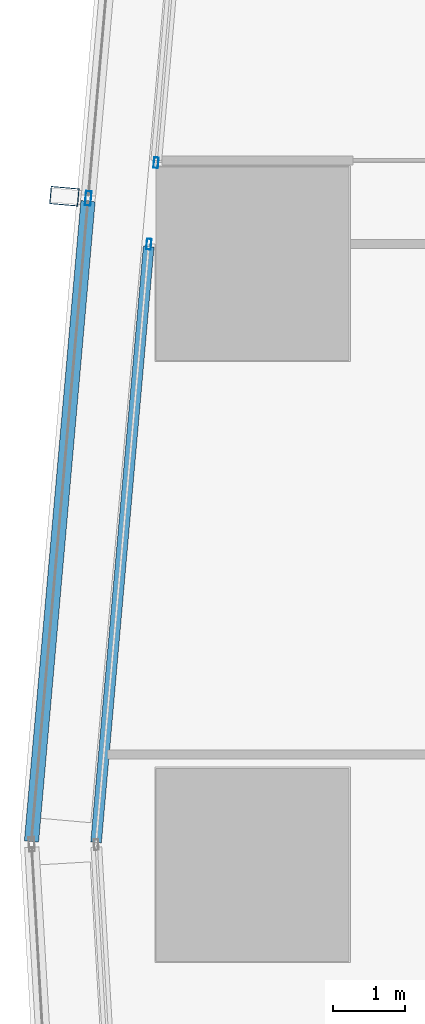
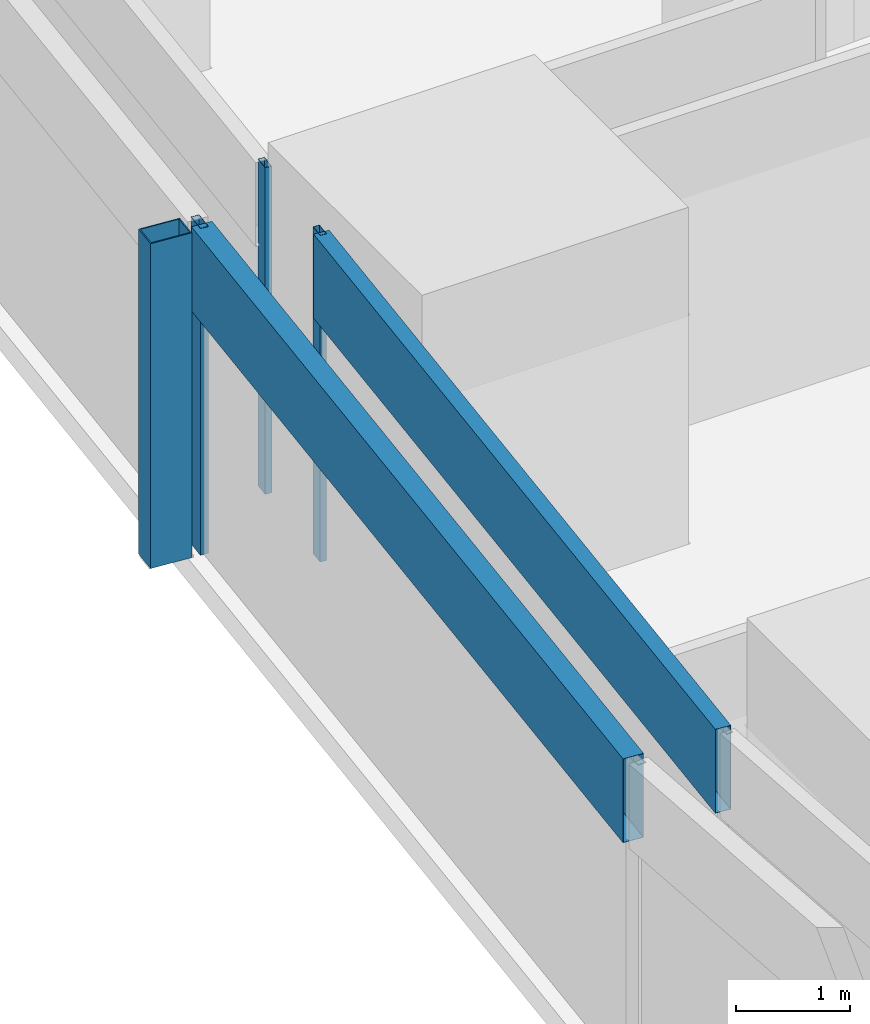
# One storey, part 14 of 36: 6 members, 3 elements without a shape of their own.
"""IFC4 building model written with IfcOpenShell, lengths in metres."""

from ifc_helpers import new_model, si_unit, direction, frame, origin, origin_2d, place, context, subcontext, project, spatial, hollow_rectangle, extrude, material, material_profile, profile_set, type_object, element, aggregate, save


model = new_model("IFC4")

# Units and contexts
model_context = context("Model", 3, precision=1e-05, world=origin(), true_north=direction((0.0, 1.0)))
body_context = subcontext(model_context, "Body", "Model", "MODEL_VIEW")
ifc_project = project(units=[si_unit("LENGTHUNIT", "METRE"), si_unit("AREAUNIT", "SQUARE_METRE"), si_unit("VOLUMEUNIT", "CUBIC_METRE"), si_unit("PLANEANGLEUNIT", "RADIAN"), si_unit("MASSUNIT", "GRAM", prefix="KILO")], contexts=[model_context])

# Site, building, storey
site_placement = place(None, origin())
site = spatial("IfcSite", under=ifc_project, at=site_placement, CompositionType="ELEMENT")
building_placement = place(site_placement, origin())
building = spatial("IfcBuilding", under=site, at=building_placement, Name="Rekha Terrace Tower", CompositionType="ELEMENT")
storey_placement = place(building_placement, frame((0.0, 0.0, 172.699951171875)))
storey = spatial("IfcBuildingStorey", under=building, at=storey_placement, Name="L43", CompositionType="ELEMENT", Elevation=172.699951171875)

# Curtain wall, member
ifc_material_1 = material(Name="Aluminium framing", Category="aluminium")
curtain_wall_type_1 = type_object("IfcCurtainWallType", Name="CW2 double skin outer glazing", PredefinedType="USERDEFINED", material=ifc_material_1)
curtain_wall_1_placement = place(storey_placement, origin())
curtain_wall_1 = element("IfcCurtainWall", 1, at=curtain_wall_1_placement, inside=storey, type_object=curtain_wall_type_1, Name="CW2 double skin outer glazing", ObjectType="DOUBLE SKIN OUTER GLAZING", PredefinedType="USERDEFINED")
ifc_material_2 = material(Name="Steel S355 with fluorocarbon finish", Category="steel")
ifc_material_profile_1 = material_profile(ifc_material_2, hollow_rectangle(XDim=0.25, YDim=0.39990234375, WallThickness=0.012451171875, at=origin_2d()), Name="RHS400x250x12.5")
ifc_profile_set_1 = profile_set([ifc_material_profile_1], Name="Steel S355 with fluorocarbon finish")
member_type_1 = type_object("IfcMemberType", Name="BL1 facade blade RHS 400 x 250", PredefinedType="USERDEFINED", material=ifc_profile_set_1)
member_1_placement = place(storey_placement, frame((5.77001953125, 51.341796875, 0.02001953125), z_axis=(0.0, 0.0, 1.0), x_axis=(-0.087957249501, -0.996124250413, 0.0)))
member_1 = element("IfcMember", 2, at=member_1_placement, type_object=member_type_1, Name="Facade blade", ObjectType="FACADE BLADE", PredefinedType="USERDEFINED", context=body_context, shape_type="SweptSolid", body=[
    extrude(hollow_rectangle(XDim=0.25, YDim=0.39990234375, WallThickness=0.012451171875, at=origin_2d()), origin(), (0.0, 0.0, 1.0), 3.47998046875),
])

curtain_wall_type_2 = type_object("IfcCurtainWallType", Name="CW1 double skin inner glazing", PredefinedType="USERDEFINED", material=ifc_material_1)
curtain_wall_2_placement = place(storey_placement, origin())
curtain_wall_2 = element("IfcCurtainWall", 3, at=curtain_wall_2_placement, inside=storey, type_object=curtain_wall_type_2, Name="CW1 double skin inner glazing", ObjectType="DOUBLE SKIN INNER GLAZING", PredefinedType="USERDEFINED")
ifc_material_3 = material(Name="Aluminium mullion section", Category="aluminium")
ifc_material_profile_2 = material_profile(ifc_material_3, hollow_rectangle(XDim=0.06494140625, YDim=0.14990234375, WallThickness=0.00390625, at=origin_2d()), Name="AL RHS 65x150")
ifc_profile_set_2 = profile_set([ifc_material_profile_2], Name="Aluminium mullion section")
member_type_2 = type_object("IfcMemberType", Name="CW1 mullion RHS 65 x 150", PredefinedType="MULLION", material=ifc_profile_set_2)
member_2_placement = place(storey_placement, frame((7.05126953125, 51.810546875, 0.0), z_axis=(0.0, 0.0, 1.0), x_axis=(0.996124185428, -0.087957985453, 0.0)))
member_2 = element("IfcMember", 4, at=member_2_placement, type_object=member_type_2, Name="CW1 mullion 2", PredefinedType="MULLION", context=body_context, shape_type="SweptSolid", body=[
    extrude(hollow_rectangle(XDim=0.06494140625, YDim=0.14990234375, WallThickness=0.00390625, at=origin_2d()), origin(), (0.0, 0.0, 1.0), 3.5),
])
aggregate(curtain_wall_2, [member_2])

# Curtain wall, members
curtain_wall_3_placement = place(storey_placement, origin())
curtain_wall_3 = element("IfcCurtainWall", 5, at=curtain_wall_3_placement, inside=storey, type_object=curtain_wall_type_2, Name="CW1 double skin inner glazing", ObjectType="DOUBLE SKIN INNER GLAZING", PredefinedType="USERDEFINED")
member_3_placement = place(storey_placement, frame((6.95068359375, 50.67236328125, 0.0), z_axis=(0.0, 0.0, 1.0), x_axis=(0.996124185419, -0.087957985558, 0.0)))
member_3 = element("IfcMember", 6, at=member_3_placement, type_object=member_type_2, Name="CW1 mullion 1", PredefinedType="MULLION", context=body_context, shape_type="SweptSolid", body=[
    extrude(hollow_rectangle(XDim=0.06494140625, YDim=0.14990234375, WallThickness=0.00390625, at=origin_2d()), origin(), (0.0, 0.0, 1.0), 3.5),
])
ifc_material_4 = material(Name="Insulated aluminium spandrel box", Category="aluminium")
ifc_material_profile_3 = material_profile(ifc_material_4, hollow_rectangle(XDim=0.14990234375, YDim=0.89990234375, WallThickness=0.0029296875, at=origin_2d()), Name="AL SPANDREL BOX 150x900")
ifc_profile_set_3 = profile_set([ifc_material_profile_3], Name="Insulated aluminium spandrel box")
member_type_3 = type_object("IfcMemberType", Name="CW1 spandrel transom 150 x 900", PredefinedType="USERDEFINED", material=ifc_profile_set_3)
member_4_placement = place(storey_placement, frame((6.947998046875, 50.639892578125, 3.050048828125), z_axis=(-0.087983323266, -0.996121947769, 0.0), x_axis=(0.996121947769, -0.087983323266, 0.0)))
member_4 = element("IfcMember", 7, at=member_4_placement, type_object=member_type_3, Name="CW1 spandrel transom 1", ObjectType="TRANSOM", PredefinedType="USERDEFINED", context=body_context, shape_type="SweptSolid", body=[
    extrude(hollow_rectangle(XDim=0.14990234375, YDim=0.89990234375, WallThickness=0.0029296875, at=origin_2d()), origin(), (0.0, 0.0, 1.0), 8.35791015625),
])
aggregate(curtain_wall_3, [member_3, member_4])

# Member
ifc_material_profile_4 = material_profile(ifc_material_3, hollow_rectangle(XDim=0.080078125, YDim=0.199951171875, WallThickness=0.00390625, at=origin_2d()), Name="AL RHS 80x200")
ifc_profile_set_4 = profile_set([ifc_material_profile_4], Name="Aluminium mullion section")
member_type_4 = type_object("IfcMemberType", Name="CW2 mullion RHS 80 x 200", PredefinedType="MULLION", material=ifc_profile_set_4)
member_5_placement = place(storey_placement, frame((6.103759765625, 51.312255859375, 0.0), z_axis=(0.0, 0.0, 1.0), x_axis=(0.996124185428, -0.087957985453, 0.0)))
member_5 = element("IfcMember", 8, at=member_5_placement, type_object=member_type_4, Name="CW2 mullion 2", PredefinedType="MULLION", context=body_context, shape_type="SweptSolid", body=[
    extrude(hollow_rectangle(XDim=0.080078125, YDim=0.199951171875, WallThickness=0.00390625, at=origin_2d()), origin(), (0.0, 0.0, 1.0), 3.5),
])

ifc_material_profile_5 = material_profile(ifc_material_4, hollow_rectangle(XDim=0.199951171875, YDim=0.89990234375, WallThickness=0.0029296875, at=origin_2d()), Name="AL SPANDREL BOX 200x900")
ifc_profile_set_5 = profile_set([ifc_material_profile_5], Name="Insulated aluminium spandrel box")
member_type_5 = type_object("IfcMemberType", Name="CW2 spandrel transom 200 x 900", PredefinedType="USERDEFINED", material=ifc_profile_set_5)
member_6_placement = place(storey_placement, frame((6.100341796875, 51.2724609375, 3.050048828125), z_axis=(-0.087981092326, -0.996122144816, 0.0), x_axis=(0.996122144816, -0.087981092326, 0.0)))
member_6 = element("IfcMember", 9, at=member_6_placement, type_object=member_type_5, Name="CW2 spandrel transom 2", ObjectType="TRANSOM", PredefinedType="USERDEFINED", context=body_context, shape_type="SweptSolid", body=[
    extrude(hollow_rectangle(XDim=0.199951171875, YDim=0.89990234375, WallThickness=0.0029296875, at=origin_2d()), origin(), (0.0, 0.0, 1.0), 8.979736328125),
])

aggregate(curtain_wall_1, [member_5, member_6, member_1])

save(model, "model.ifc")
